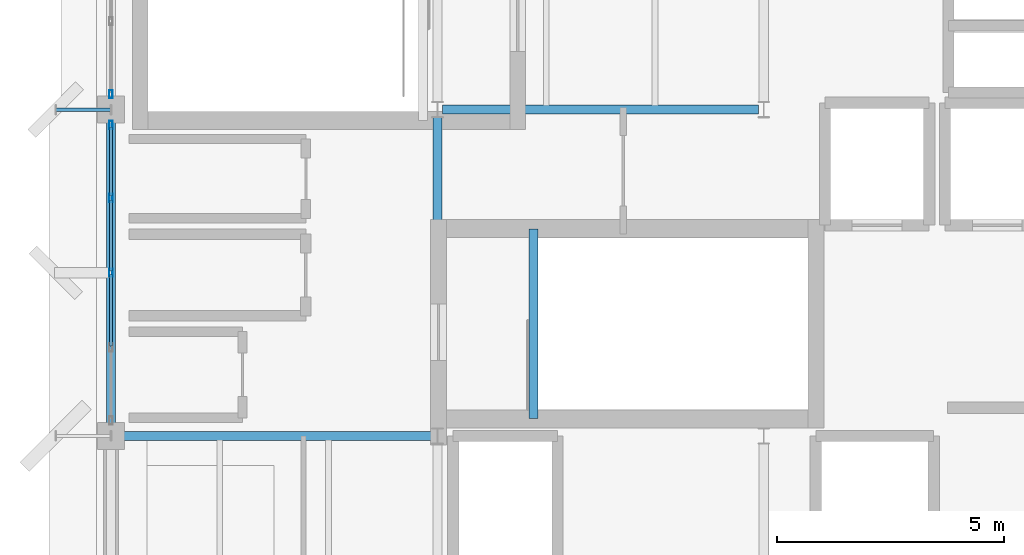
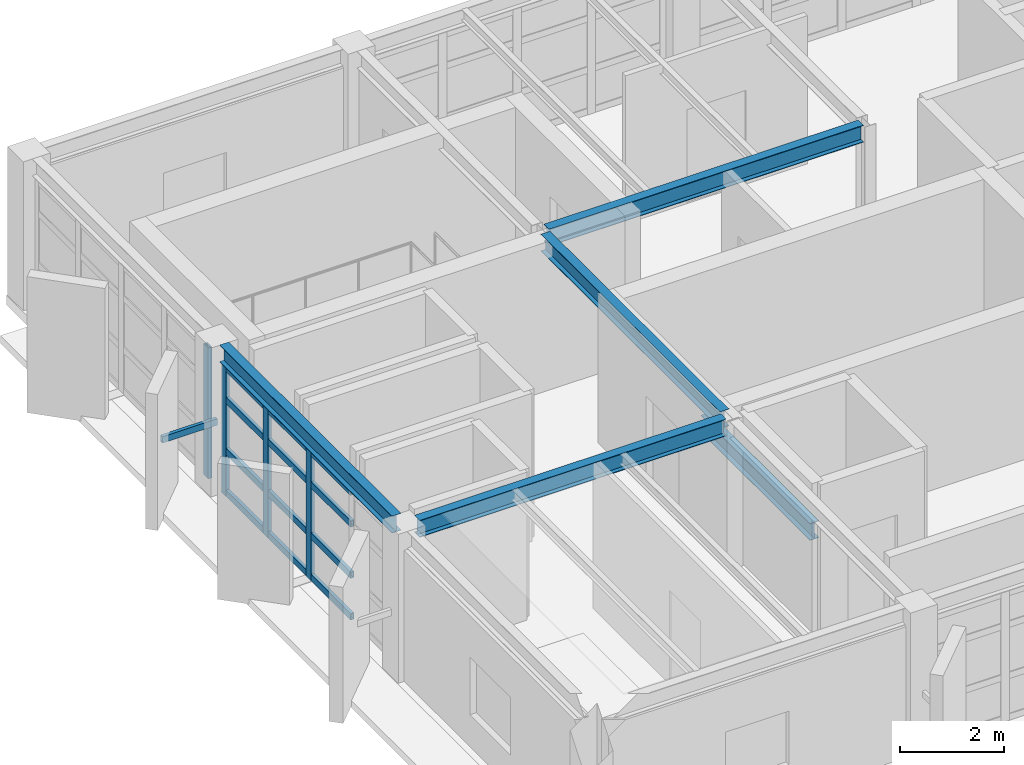
# One storey, part 3 of 13: 17 members, 5 beams, 2 elements without a shape of their own.
"""IFC4 building model written with IfcOpenShell, lengths in metres."""

from ifc_helpers import new_model, si_unit, direction, frame, origin, origin_2d, place, context, subcontext, project, spatial, hollow_rectangle, i_section, extrude, material, layer, layer_set, material_profile, profile_set, type_object, element, aggregate, save


model = new_model("IFC4")

# Units and contexts
model_context = context("Model", 3, precision=1e-05, world=origin(), true_north=direction((0.0, 1.0)))
body_context = subcontext(model_context, "Body", "Model", "MODEL_VIEW")
ifc_project = project(units=[si_unit("LENGTHUNIT", "METRE"), si_unit("AREAUNIT", "SQUARE_METRE"), si_unit("VOLUMEUNIT", "CUBIC_METRE"), si_unit("PLANEANGLEUNIT", "RADIAN"), si_unit("MASSUNIT", "GRAM", prefix="KILO")], contexts=[model_context])

# Site, building, storey
site_placement = place(None, origin())
site = spatial("IfcSite", under=ifc_project, at=site_placement, CompositionType="ELEMENT")
building_placement = place(site_placement, origin())
building = spatial("IfcBuilding", under=site, at=building_placement, Name="Kandorven Conservatory and Botanical Research Centre", CompositionType="ELEMENT")
storey_placement = place(building_placement, frame((0.0, 0.0, 63.14990234375)))
storey = spatial("IfcBuildingStorey", under=building, at=storey_placement, Name="L16", CompositionType="ELEMENT", Elevation=63.14990234375)

# Beams
ifc_material_1 = material(Name="Steel S355 (IS 2062 E350)", Category="steel")
ifc_material_profile_1 = material_profile(ifc_material_1, i_section(OverallWidth=0.199951171875, OverallDepth=0.39990234375, WebThickness=0.008544921875, FlangeThickness=0.012939453125, at=origin_2d()))
ifc_profile_set_1 = profile_set([ifc_material_profile_1], Name="Steel S355 (IS 2062 E350)")
beam_type = type_object("IfcBeamType", Name="Beam_FG-03", PredefinedType="USERDEFINED", material=ifc_profile_set_1)
beam_1_placement = place(storey_placement, frame((6.2900390625, 13.199951171875, 3.2900390625), z_axis=(1.0, 0.0, 0.0), x_axis=(0.0, 1.0, 0.0)))
element("IfcBeam", 1, at=beam_1_placement, inside=storey, type_object=beam_type, Name="Primary girder FG-03 TWR L16", ObjectType="GIRDER", PredefinedType="USERDEFINED", context=body_context, shape_type="SweptSolid", body=[
    extrude(i_section(OverallWidth=0.199951171875, OverallDepth=0.39990234375, WebThickness=0.008544921875, FlangeThickness=0.012939453125, at=origin_2d()), origin(), (0.0, 0.0, 1.0), 6.794921875),
])
beam_2_placement = place(storey_placement, frame((13.31494140625, 20.39990234375, 3.2900390625), z_axis=(1.0, 0.0, 0.0), x_axis=(0.0, 1.0, 0.0)))
element("IfcBeam", 2, at=beam_2_placement, inside=storey, type_object=beam_type, Name="Primary girder FG-03 TWR L16", ObjectType="GIRDER", PredefinedType="USERDEFINED", context=body_context, shape_type="SweptSolid", body=[
    extrude(i_section(OverallWidth=0.199951171875, OverallDepth=0.39990234375, WebThickness=0.008544921875, FlangeThickness=0.012939453125, at=origin_2d()), origin(), (0.0, 0.0, 1.0), 6.969970703125),
])
beam_3_placement = place(storey_placement, frame((6.0, 13.489990234375, 3.2900390625), z_axis=(0.0, 1.0, 0.0), x_axis=(-1.0, 0.0, 0.0)))
element("IfcBeam", 3, at=beam_3_placement, inside=storey, type_object=beam_type, Name="Primary girder FG-03 TWR L16", ObjectType="GIRDER", PredefinedType="USERDEFINED", context=body_context, shape_type="SweptSolid", body=[
    extrude(i_section(OverallWidth=0.199951171875, OverallDepth=0.39990234375, WebThickness=0.008544921875, FlangeThickness=0.012939453125, at=origin_2d()), origin(), (0.0, 0.0, 1.0), 6.6201171875),
])
beam_4_placement = place(storey_placement, frame((13.199951171875, 13.364990234375, 3.2900390625), z_axis=(0.0, 1.0, 0.0), x_axis=(-1.0, 0.0, 0.0)))
element("IfcBeam", 4, at=beam_4_placement, inside=storey, type_object=beam_type, Name="Primary girder FG-03 TWR L16", ObjectType="GIRDER", PredefinedType="USERDEFINED", context=body_context, shape_type="SweptSolid", body=[
    extrude(i_section(OverallWidth=0.199951171875, OverallDepth=0.39990234375, WebThickness=0.008544921875, FlangeThickness=0.012939453125, at=origin_2d()), origin(), (0.0, 0.0, 1.0), 6.8701171875),
])
beam_5_placement = place(storey_placement, frame((15.320068359375, 13.580078125, -0.199951171875), z_axis=(0.0, 1.0, 0.0), x_axis=(-1.0, 0.0, 0.0)))
element("IfcBeam", 5, at=beam_5_placement, inside=storey, type_object=beam_type, Name="Stair well bottom trimmer girder FG-03 ST-T1 L16", ObjectType="GIRDER", PredefinedType="USERDEFINED", context=body_context, shape_type="SweptSolid", body=[
    extrude(i_section(OverallWidth=0.199951171875, OverallDepth=0.39990234375, WebThickness=0.008544921875, FlangeThickness=0.012939453125, at=origin_2d()), origin(), (0.0, 0.0, 1.0), 4.18994140625),
])

# Curtain wall, members
ifc_material_2 = material(Name="Bronze anodised thermally broken aluminium", Category="aluminium")
ifc_layer = layer(ifc_material_2, 0.179931640625)
ifc_layer_set = layer_set([ifc_layer], Name="Bronze anodised thermally broken aluminium")
curtain_wall_type = type_object("IfcCurtainWallType", Name="CW_Unitised", PredefinedType="USERDEFINED", material=ifc_layer_set)
curtain_wall_1_placement = place(storey_placement, origin())
curtain_wall_1 = element("IfcCurtainWall", 6, at=curtain_wall_1_placement, inside=storey, type_object=curtain_wall_type, Name="Tower laboratory curtain wall CW-TWR-W-L16-2", ObjectType="UNITISED GLAZING", PredefinedType="USERDEFINED")
ifc_material_3 = material(Name="Bronze anodised thermally broken aluminium", Category="aluminium")
ifc_material_profile_2 = material_profile(ifc_material_3, hollow_rectangle(XDim=0.080078125, YDim=0.179931640625, WallThickness=0.006103515625, at=origin_2d()))
ifc_profile_set_2 = profile_set([ifc_material_profile_2], Name="Bronze anodised thermally broken aluminium")
member_type_1 = type_object("IfcMemberType", Name="CW_Mullion", PredefinedType="MULLION", material=ifc_profile_set_2)
member_1_placement = place(storey_placement, frame((6.0, 16.800048828125, 0.0), z_axis=(0.0, 0.0, 1.0), x_axis=(-1.0, 0.0, 0.0)))
member_1 = element("IfcMember", 7, at=member_1_placement, type_object=member_type_1, Name="CW-01 mullion 3", PredefinedType="MULLION", context=body_context, shape_type="SweptSolid", body=[
    extrude(hollow_rectangle(XDim=0.080078125, YDim=0.179931640625, WallThickness=0.006103515625, at=origin_2d()), origin(), (0.0, 0.0, 1.0), 3.070068359375),
])
member_2_placement = place(storey_placement, frame((6.0, 18.449951171875, 0.0), z_axis=(0.0, 0.0, 1.0), x_axis=(-1.0, 0.0, 0.0)))
member_2 = element("IfcMember", 8, at=member_2_placement, type_object=member_type_1, Name="CW-01 mullion 4", PredefinedType="MULLION", context=body_context, shape_type="SweptSolid", body=[
    extrude(hollow_rectangle(XDim=0.080078125, YDim=0.179931640625, WallThickness=0.006103515625, at=origin_2d()), origin(), (0.0, 0.0, 1.0), 3.070068359375),
])
member_3_placement = place(storey_placement, frame((6.0, 20.06005859375, 0.0), z_axis=(0.0, 0.0, 1.0), x_axis=(-1.0, 0.0, 0.0)))
member_3 = element("IfcMember", 9, at=member_3_placement, type_object=member_type_1, Name="CW-01 mullion 5", PredefinedType="MULLION", context=body_context, shape_type="SweptSolid", body=[
    extrude(hollow_rectangle(XDim=0.080078125, YDim=0.179931640625, WallThickness=0.006103515625, at=origin_2d()), origin(), (0.0, 0.0, 1.0), 3.070068359375),
])

# Curtain wall, member
curtain_wall_2_placement = place(storey_placement, origin())
curtain_wall_2 = element("IfcCurtainWall", 10, at=curtain_wall_2_placement, inside=storey, type_object=curtain_wall_type, Name="Tower laboratory curtain wall CW-TWR-W-L16-3", ObjectType="UNITISED GLAZING", PredefinedType="USERDEFINED")
member_4_placement = place(storey_placement, frame((6.0, 20.739990234375, 0.0), z_axis=(0.0, 0.0, 1.0), x_axis=(-1.0, 0.0, 0.0)))
member_4 = element("IfcMember", 11, at=member_4_placement, type_object=member_type_1, Name="CW-01 mullion 1", PredefinedType="MULLION", context=body_context, shape_type="SweptSolid", body=[
    extrude(hollow_rectangle(XDim=0.080078125, YDim=0.179931640625, WallThickness=0.006103515625, at=origin_2d()), origin(), (0.0, 0.0, 1.0), 3.070068359375),
])
aggregate(curtain_wall_2, [member_4])

# Member
ifc_material_4 = material(Name="Bronze anodised thermally broken aluminium", Category="aluminium")
ifc_material_profile_3 = material_profile(ifc_material_4, hollow_rectangle(XDim=0.074951171875, YDim=0.14990234375, WallThickness=0.006103515625, at=origin_2d()))
ifc_profile_set_3 = profile_set([ifc_material_profile_3], Name="Bronze anodised thermally broken aluminium")
member_type_2 = type_object("IfcMemberType", Name="CW_Transom", PredefinedType="USERDEFINED", material=ifc_profile_set_3)
member_5_placement = place(storey_placement, frame((6.0, 15.18994140625, 0.0751953125), z_axis=(0.0, 1.0, 0.0), x_axis=(-1.0, 0.0, 0.0)))
member_5 = element("IfcMember", 12, at=member_5_placement, type_object=member_type_2, Name="CW-01 transom 2.1", ObjectType="TRANSOM", PredefinedType="USERDEFINED", context=body_context, shape_type="SweptSolid", body=[
    extrude(hollow_rectangle(XDim=0.074951171875, YDim=0.14990234375, WallThickness=0.006103515625, at=origin_2d()), origin(), (0.0, 0.0, 1.0), 1.570068359375),
])

member_6_placement = place(storey_placement, frame((6.0, 15.18994140625, 1.050048828125), z_axis=(0.0, 1.0, 0.0), x_axis=(-1.0, 0.0, 0.0)))
member_6 = element("IfcMember", 13, at=member_6_placement, type_object=member_type_2, Name="CW-01 transom 2.2", ObjectType="TRANSOM", PredefinedType="USERDEFINED", context=body_context, shape_type="SweptSolid", body=[
    extrude(hollow_rectangle(XDim=0.074951171875, YDim=0.14990234375, WallThickness=0.006103515625, at=origin_2d()), origin(), (0.0, 0.0, 1.0), 1.570068359375),
])

member_7_placement = place(storey_placement, frame((6.0, 15.18994140625, 2.25), z_axis=(0.0, 1.0, 0.0), x_axis=(-1.0, 0.0, 0.0)))
member_7 = element("IfcMember", 14, at=member_7_placement, type_object=member_type_2, Name="CW-01 transom 2.3", ObjectType="TRANSOM", PredefinedType="USERDEFINED", context=body_context, shape_type="SweptSolid", body=[
    extrude(hollow_rectangle(XDim=0.074951171875, YDim=0.14990234375, WallThickness=0.006103515625, at=origin_2d()), origin(), (0.0, 0.0, 1.0), 1.570068359375),
])

member_8_placement = place(storey_placement, frame((6.0, 15.18994140625, 2.9951171875), z_axis=(0.0, 1.0, 0.0), x_axis=(-1.0, 0.0, 0.0)))
member_8 = element("IfcMember", 15, at=member_8_placement, type_object=member_type_2, Name="CW-01 transom 2.4", ObjectType="TRANSOM", PredefinedType="USERDEFINED", context=body_context, shape_type="SweptSolid", body=[
    extrude(hollow_rectangle(XDim=0.074951171875, YDim=0.14990234375, WallThickness=0.006103515625, at=origin_2d()), origin(), (0.0, 0.0, 1.0), 1.570068359375),
])

member_9_placement = place(storey_placement, frame((6.0, 16.840087890625, 0.0751953125), z_axis=(0.0, 1.0, 0.0), x_axis=(-1.0, 0.0, 0.0)))
member_9 = element("IfcMember", 16, at=member_9_placement, type_object=member_type_2, Name="CW-01 transom 3.1", ObjectType="TRANSOM", PredefinedType="USERDEFINED", context=body_context, shape_type="SweptSolid", body=[
    extrude(hollow_rectangle(XDim=0.074951171875, YDim=0.14990234375, WallThickness=0.006103515625, at=origin_2d()), origin(), (0.0, 0.0, 1.0), 1.56982421875),
])

member_10_placement = place(storey_placement, frame((6.0, 16.840087890625, 1.050048828125), z_axis=(0.0, 1.0, 0.0), x_axis=(-1.0, 0.0, 0.0)))
member_10 = element("IfcMember", 17, at=member_10_placement, type_object=member_type_2, Name="CW-01 transom 3.2", ObjectType="TRANSOM", PredefinedType="USERDEFINED", context=body_context, shape_type="SweptSolid", body=[
    extrude(hollow_rectangle(XDim=0.074951171875, YDim=0.14990234375, WallThickness=0.006103515625, at=origin_2d()), origin(), (0.0, 0.0, 1.0), 1.56982421875),
])

member_11_placement = place(storey_placement, frame((6.0, 16.840087890625, 2.25), z_axis=(0.0, 1.0, 0.0), x_axis=(-1.0, 0.0, 0.0)))
member_11 = element("IfcMember", 18, at=member_11_placement, type_object=member_type_2, Name="CW-01 transom 3.3", ObjectType="TRANSOM", PredefinedType="USERDEFINED", context=body_context, shape_type="SweptSolid", body=[
    extrude(hollow_rectangle(XDim=0.074951171875, YDim=0.14990234375, WallThickness=0.006103515625, at=origin_2d()), origin(), (0.0, 0.0, 1.0), 1.56982421875),
])

member_12_placement = place(storey_placement, frame((6.0, 16.840087890625, 2.9951171875), z_axis=(0.0, 1.0, 0.0), x_axis=(-1.0, 0.0, 0.0)))
member_12 = element("IfcMember", 19, at=member_12_placement, type_object=member_type_2, Name="CW-01 transom 3.4", ObjectType="TRANSOM", PredefinedType="USERDEFINED", context=body_context, shape_type="SweptSolid", body=[
    extrude(hollow_rectangle(XDim=0.074951171875, YDim=0.14990234375, WallThickness=0.006103515625, at=origin_2d()), origin(), (0.0, 0.0, 1.0), 1.56982421875),
])

member_13_placement = place(storey_placement, frame((6.0, 18.489990234375, 0.0751953125), z_axis=(0.0, 1.0, 0.0), x_axis=(-1.0, 0.0, 0.0)))
member_13 = element("IfcMember", 20, at=member_13_placement, type_object=member_type_2, Name="CW-01 transom 4.1", ObjectType="TRANSOM", PredefinedType="USERDEFINED", context=body_context, shape_type="SweptSolid", body=[
    extrude(hollow_rectangle(XDim=0.074951171875, YDim=0.14990234375, WallThickness=0.006103515625, at=origin_2d()), origin(), (0.0, 0.0, 1.0), 1.530029296875),
])

member_14_placement = place(storey_placement, frame((6.0, 18.489990234375, 1.050048828125), z_axis=(0.0, 1.0, 0.0), x_axis=(-1.0, 0.0, 0.0)))
member_14 = element("IfcMember", 21, at=member_14_placement, type_object=member_type_2, Name="CW-01 transom 4.2", ObjectType="TRANSOM", PredefinedType="USERDEFINED", context=body_context, shape_type="SweptSolid", body=[
    extrude(hollow_rectangle(XDim=0.074951171875, YDim=0.14990234375, WallThickness=0.006103515625, at=origin_2d()), origin(), (0.0, 0.0, 1.0), 1.530029296875),
])

member_15_placement = place(storey_placement, frame((6.0, 18.489990234375, 2.25), z_axis=(0.0, 1.0, 0.0), x_axis=(-1.0, 0.0, 0.0)))
member_15 = element("IfcMember", 22, at=member_15_placement, type_object=member_type_2, Name="CW-01 transom 4.3", ObjectType="TRANSOM", PredefinedType="USERDEFINED", context=body_context, shape_type="SweptSolid", body=[
    extrude(hollow_rectangle(XDim=0.074951171875, YDim=0.14990234375, WallThickness=0.006103515625, at=origin_2d()), origin(), (0.0, 0.0, 1.0), 1.530029296875),
])

member_16_placement = place(storey_placement, frame((6.0, 18.489990234375, 2.9951171875), z_axis=(0.0, 1.0, 0.0), x_axis=(-1.0, 0.0, 0.0)))
member_16 = element("IfcMember", 23, at=member_16_placement, type_object=member_type_2, Name="CW-01 transom 4.4", ObjectType="TRANSOM", PredefinedType="USERDEFINED", context=body_context, shape_type="SweptSolid", body=[
    extrude(hollow_rectangle(XDim=0.074951171875, YDim=0.14990234375, WallThickness=0.006103515625, at=origin_2d()), origin(), (0.0, 0.0, 1.0), 1.530029296875),
])

aggregate(curtain_wall_1, [member_1, member_2, member_3, member_5, member_6, member_7, member_8, member_9, member_10, member_11, member_12, member_13, member_14, member_15, member_16])

ifc_material_5 = material(Name="Steel S355 (IS 2062 E350)", Category="steel")
ifc_material_profile_4 = material_profile(ifc_material_5, hollow_rectangle(XDim=0.074951171875, YDim=0.14990234375, WallThickness=0.006103515625, at=origin_2d()))
ifc_profile_set_4 = profile_set([ifc_material_profile_4], Name="Steel S355 (IS 2062 E350)")
member_type_3 = type_object("IfcMemberType", Name="Mem_SF-01", PredefinedType="STRUT", material=ifc_profile_set_4)
member_17_placement = place(storey_placement, frame((6.0, 20.39990234375, 1.5), z_axis=(-1.0, 0.0, 0.0), x_axis=(0.0, -1.0, 0.0)))
element("IfcMember", 24, at=member_17_placement, inside=storey, type_object=member_type_3, Name="Solar fin steel outrigger strut SF-01 #151", PredefinedType="STRUT", context=body_context, shape_type="SweptSolid", body=[
    extrude(hollow_rectangle(XDim=0.074951171875, YDim=0.14990234375, WallThickness=0.006103515625, at=origin_2d()), origin(), (0.0, 0.0, 1.0), 1.219970703125),
])

save(model, "model.ifc")
